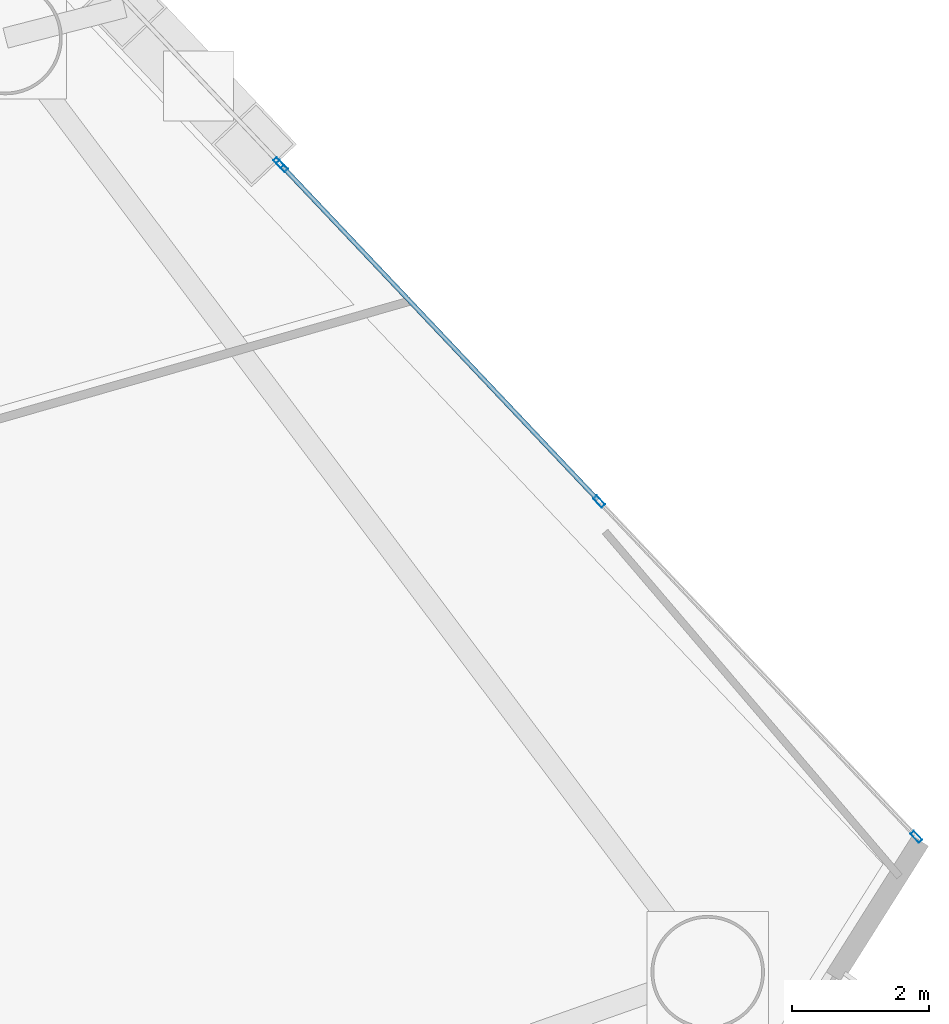
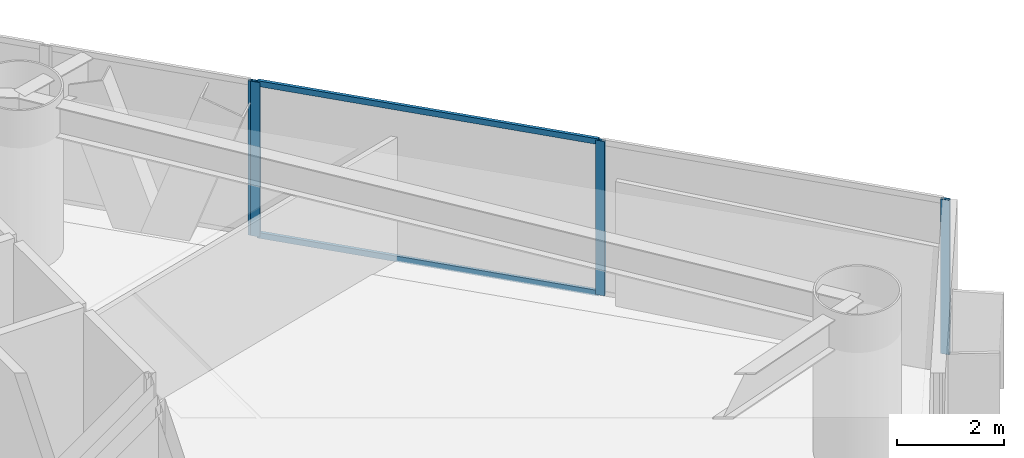
# One storey, part 14 of 23: 6 members, 2 elements without a shape of their own.
"""IFC4 building model written with IfcOpenShell, lengths in metres."""

from ifc_helpers import new_model, si_unit, direction, frame, origin, origin_2d, place, context, subcontext, project, spatial, hollow_rectangle, extrude, material, layer, layer_set, material_profile, profile_set, type_object, element, aggregate, save


model = new_model("IFC4")

# Units and contexts
model_context = context("Model", 3, precision=1e-05, world=origin(), true_north=direction((0.0, 1.0)))
body_context = subcontext(model_context, "Body", "Model", "MODEL_VIEW")
ifc_project = project(units=[si_unit("LENGTHUNIT", "METRE"), si_unit("AREAUNIT", "SQUARE_METRE"), si_unit("VOLUMEUNIT", "CUBIC_METRE"), si_unit("PLANEANGLEUNIT", "RADIAN"), si_unit("MASSUNIT", "GRAM", prefix="KILO")], contexts=[model_context])

# Site, building, storey
site_placement = place(None, origin())
site = spatial("IfcSite", under=ifc_project, at=site_placement, CompositionType="ELEMENT")
building_placement = place(site_placement, origin())
building = spatial("IfcBuilding", under=site, at=building_placement, Name="Qianvela Tower", CompositionType="ELEMENT")
storey_placement = place(building_placement, frame((0.0, 0.0, 52.5)))
storey = spatial("IfcBuildingStorey", under=building, at=storey_placement, Name="L12", CompositionType="ELEMENT", Elevation=52.5)

# Curtain wall, member
ifc_material_1 = material(Name="Anodised Architectural Aluminium and Insulated Spandrel Panel", Category="aluminium")
ifc_layer_1 = layer(ifc_material_1, 0.179931640625)
ifc_layer_set_1 = layer_set([ifc_layer_1], Name="Anodised Architectural Aluminium and Insulated Spandrel Panel")
curtain_wall_type_1 = type_object("IfcCurtainWallType", Name="CW-BRACEBAY", PredefinedType="USERDEFINED", material=ifc_layer_set_1)
curtain_wall_1_placement = place(storey_placement, origin())
curtain_wall_1 = element("IfcCurtainWall", 1, at=curtain_wall_1_placement, inside=storey, type_object=curtain_wall_type_1, Name="L12 CW-BRACEBAY Curtain Wall 02B", ObjectType="CURTAIN_WALL_SYSTEM", PredefinedType="USERDEFINED")
ifc_material_2 = material(Name="Anodised Architectural Aluminium 6063-T6", Category="aluminium")
ifc_material_profile_1 = material_profile(ifc_material_2, hollow_rectangle(XDim=0.06494140625, YDim=0.159912109375, WallThickness=0.0048828125, at=origin_2d()), Name="ALU-MULL-65x160")
ifc_profile_set_1 = profile_set([ifc_material_profile_1], Name="Anodised Architectural Aluminium 6063-T6")
member_type_1 = type_object("IfcMemberType", Name="CW-BRACEBAY-MULL", PredefinedType="MULLION", material=ifc_profile_set_1)
member_1_placement = place(storey_placement, frame((49.959716796875, 32.24462890625, 0.0), z_axis=(0.0, 0.0, 1.0), x_axis=(-0.726487119455, -0.687180082122, 0.0)))
member_1 = element("IfcMember", 2, at=member_1_placement, type_object=member_type_1, Name="CW-9 mullion 1", PredefinedType="MULLION", context=body_context, shape_type="SweptSolid", body=[
    extrude(hollow_rectangle(XDim=0.06494140625, YDim=0.159912109375, WallThickness=0.0048828125, at=origin_2d()), origin(), (0.0, 0.0, 1.0), 3.52001953125),
])
aggregate(curtain_wall_1, [member_1])

# Curtain wall, members
ifc_material_3 = material(Name="Anodised Architectural Aluminium and Low-E Glass", Category="aluminium")
ifc_layer_2 = layer(ifc_material_3, 0.179931640625)
ifc_layer_set_2 = layer_set([ifc_layer_2], Name="Anodised Architectural Aluminium and Low-E Glass")
curtain_wall_type_2 = type_object("IfcCurtainWallType", Name="CW-COLIV-Z12", PredefinedType="USERDEFINED", material=ifc_layer_set_2)
curtain_wall_2_placement = place(storey_placement, origin())
curtain_wall_2 = element("IfcCurtainWall", 3, at=curtain_wall_2_placement, inside=storey, type_object=curtain_wall_type_2, Name="L12 CW-COLIV-Z12 Curtain Wall 02A", ObjectType="CURTAIN_WALL_SYSTEM", PredefinedType="USERDEFINED")
ifc_material_4 = material(Name="Anodised Architectural Aluminium 6063-T6", Category="aluminium")
ifc_material_profile_2 = material_profile(ifc_material_4, hollow_rectangle(XDim=0.070068359375, YDim=0.179931640625, WallThickness=0.0048828125, at=origin_2d()), Name="ALU-MULL-70x180")
ifc_profile_set_2 = profile_set([ifc_material_profile_2], Name="Anodised Architectural Aluminium 6063-T6")
member_type_2 = type_object("IfcMemberType", Name="CW-COLIV-Z12-MULL", PredefinedType="MULLION", material=ifc_profile_set_2)
member_2_placement = place(storey_placement, frame((59.23486328125, 22.438720703125, 0.0), z_axis=(0.0, 0.0, 1.0), x_axis=(-0.726496301224, -0.687170375022, 0.0)))
member_2 = element("IfcMember", 4, at=member_2_placement, type_object=member_type_2, Name="CW-3 mullion 1", PredefinedType="MULLION", context=body_context, shape_type="SweptSolid", body=[
    extrude(hollow_rectangle(XDim=0.070068359375, YDim=0.179931640625, WallThickness=0.0048828125, at=origin_2d()), origin(), (0.0, 0.0, 1.0), 3.52001953125),
])
member_3_placement = place(storey_placement, frame((54.620361328125, 27.317138671875, 0.0), z_axis=(0.0, 0.0, 1.0), x_axis=(-0.726496301224, -0.687170375022, 0.0)))
member_3 = element("IfcMember", 5, at=member_3_placement, type_object=member_type_2, Name="CW-3 mullion 2", PredefinedType="MULLION", context=body_context, shape_type="SweptSolid", body=[
    extrude(hollow_rectangle(XDim=0.070068359375, YDim=0.179931640625, WallThickness=0.0048828125, at=origin_2d()), origin(), (0.0, 0.0, 1.0), 3.52001953125),
])
member_4_placement = place(storey_placement, frame((50.006103515625, 32.195556640625, 0.0), z_axis=(0.0, 0.0, 1.0), x_axis=(-0.726496301224, -0.687170375022, 0.0)))
member_4 = element("IfcMember", 6, at=member_4_placement, type_object=member_type_2, Name="CW-3 mullion 3", PredefinedType="MULLION", context=body_context, shape_type="SweptSolid", body=[
    extrude(hollow_rectangle(XDim=0.070068359375, YDim=0.179931640625, WallThickness=0.0048828125, at=origin_2d()), origin(), (0.0, 0.0, 1.0), 3.52001953125),
])
ifc_material_5 = material(Name="Anodised Architectural Aluminium 6063-T6", Category="aluminium")
ifc_material_profile_3 = material_profile(ifc_material_5, hollow_rectangle(XDim=0.06494140625, YDim=0.1298828125, WallThickness=0.00439453125, at=origin_2d()), Name="ALU-TRAN-65x130")
ifc_profile_set_3 = profile_set([ifc_material_profile_3], Name="Anodised Architectural Aluminium 6063-T6")
member_type_3 = type_object("IfcMemberType", Name="CW-COLIV-Z12-TRAN", PredefinedType="USERDEFINED", material=ifc_profile_set_3)
member_5_placement = place(storey_placement, frame((54.596435546875, 27.342529296875, 0.032470703125), z_axis=(-0.687177843781, 0.726489236683, 0.0), x_axis=(-0.726489236683, -0.687177843781, 0.0)))
member_5 = element("IfcMember", 7, at=member_5_placement, type_object=member_type_3, Name="CW-3 transom 2.1", ObjectType="TRANSOM", PredefinedType="USERDEFINED", context=body_context, shape_type="SweptSolid", body=[
    extrude(hollow_rectangle(XDim=0.06494140625, YDim=0.1298828125, WallThickness=0.00439453125, at=origin_2d()), origin(), (0.0, 0.0, 1.0), 6.645263671875),
])
member_6_placement = place(storey_placement, frame((54.596435546875, 27.342529296875, 3.487548828125), z_axis=(-0.687177843781, 0.726489236683, 0.0), x_axis=(-0.726489236683, -0.687177843781, 0.0)))
member_6 = element("IfcMember", 8, at=member_6_placement, type_object=member_type_3, Name="CW-3 transom 2.2", ObjectType="TRANSOM", PredefinedType="USERDEFINED", context=body_context, shape_type="SweptSolid", body=[
    extrude(hollow_rectangle(XDim=0.06494140625, YDim=0.1298828125, WallThickness=0.00439453125, at=origin_2d()), origin(), (0.0, 0.0, 1.0), 6.645263671875),
])
aggregate(curtain_wall_2, [member_2, member_3, member_4, member_5, member_6])

save(model, "model.ifc")
